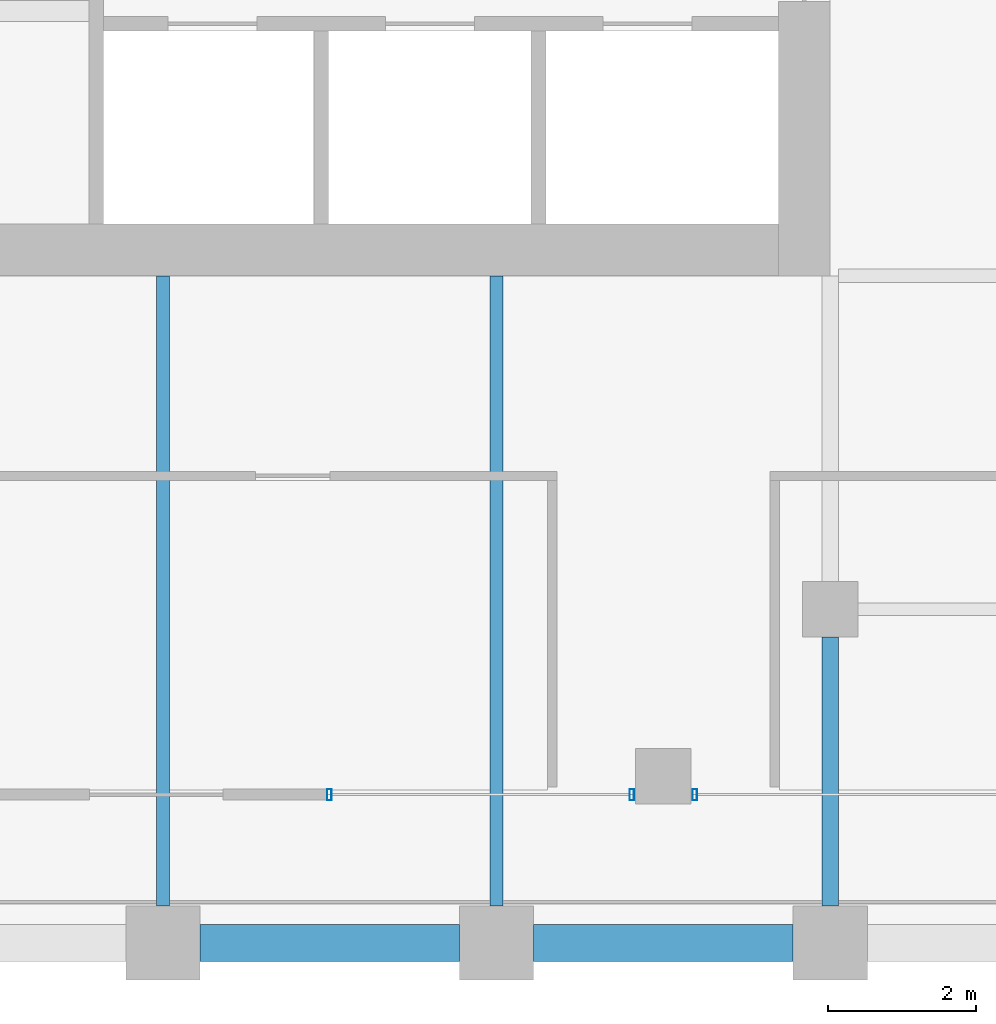
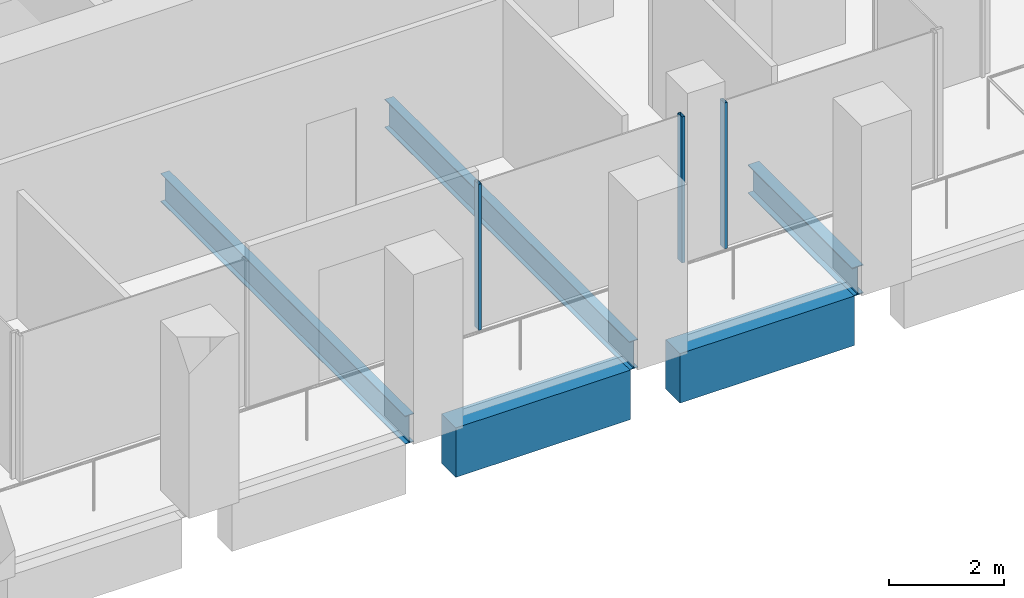
# One storey, part 31 of 46: 5 beams, 3 members, 2 elements without a shape of their own.
"""IFC4 building model written with IfcOpenShell, lengths in metres."""

from ifc_helpers import new_model, si_unit, direction, frame, origin, origin_2d, place, context, subcontext, project, spatial, rectangle, hollow_rectangle, i_section, extrude, material, material_profile, profile_set, type_object, element, aggregate, save


model = new_model("IFC4")

# Units and contexts
model_context = context("Model", 3, precision=1e-05, world=origin(), true_north=direction((0.0, 1.0)))
body_context = subcontext(model_context, "Body", "Model", "MODEL_VIEW")
ifc_project = project(units=[si_unit("LENGTHUNIT", "METRE"), si_unit("AREAUNIT", "SQUARE_METRE"), si_unit("VOLUMEUNIT", "CUBIC_METRE"), si_unit("PLANEANGLEUNIT", "RADIAN"), si_unit("MASSUNIT", "GRAM", prefix="KILO")], contexts=[model_context])

# Site, building, storey
site_placement = place(None, origin())
site = spatial("IfcSite", under=ifc_project, at=site_placement, CompositionType="ELEMENT")
building_placement = place(site_placement, origin())
building = spatial("IfcBuilding", under=site, at=building_placement, Name="Altepetl Exchange Towers", CompositionType="ELEMENT")
storey_placement = place(building_placement, frame((0.0, 0.0, 135.199951171875)))
storey = spatial("IfcBuildingStorey", under=building, at=storey_placement, Name="L33", CompositionType="ELEMENT", Elevation=135.199951171875)

# Beams
ifc_material_1 = material(Name="Steel S355", Category="steel")
ifc_material_profile_1 = material_profile(ifc_material_1, i_section(OverallWidth=0.177978515625, OverallDepth=0.59912109375, WebThickness=0.010009765625, FlangeThickness=0.0126953125, at=origin_2d()), Name="W24X55")
ifc_profile_set_1 = profile_set([ifc_material_profile_1], Name="Steel S355")
beam_type_1 = type_object("IfcBeamType", Name="Floor beam W24X55", PredefinedType="BEAM", material=ifc_profile_set_1)
for number, where, z_axis, x_axis, name in (
    (1, (108.0, 27.5, -0.449462890625), (0.0, 1.0, 0.0), (-1.0, 0.0, 0.0), "bm:B:L33:006"),
    (2, (112.5, 27.5, -0.449462890625), (0.0, 1.0, 0.0), (-1.0, 0.0, 0.0), "bm:B:L33:007"),
):
    element("IfcBeam", number, at=place(storey_placement, frame(where, z_axis=z_axis, x_axis=x_axis)), inside=storey, type_object=beam_type_1, Name=name, PredefinedType="BEAM", context=body_context, shape_type="SweptSolid", body=[
        extrude(i_section(OverallWidth=0.177978515625, OverallDepth=0.59912109375, WebThickness=0.010009765625, FlangeThickness=0.0126953125, at=origin_2d()), origin(), (0.0, 0.0, 1.0), 8.5),
    ])
ifc_material_profile_2 = material_profile(ifc_material_1, i_section(OverallWidth=0.22802734375, OverallDepth=0.60791015625, WebThickness=0.01123046875, FlangeThickness=0.017333984375, at=origin_2d()), Name="W24X76")
ifc_profile_set_2 = profile_set([ifc_material_profile_2], Name="Steel S355")
beam_type_2 = type_object("IfcBeamType", Name="Girder W24X76", PredefinedType="BEAM", material=ifc_profile_set_2)
beam_placement = place(storey_placement, frame((117.0, 31.125, -0.453857421875), z_axis=(0.0, -1.0, 0.0), x_axis=(1.0, 0.0, 0.0)))
element("IfcBeam", 3, at=beam_placement, inside=storey, type_object=beam_type_2, Name="gd:B:L33:001", PredefinedType="BEAM", context=body_context, shape_type="SweptSolid", body=[
    extrude(i_section(OverallWidth=0.22802734375, OverallDepth=0.60791015625, WebThickness=0.01123046875, FlangeThickness=0.017333984375, at=origin_2d()), origin(), (0.0, 0.0, 1.0), 3.625),
])

# Curtain wall, members
ifc_material_2 = material(Name="Aluminium 6063-T6 glazing", Category="aluminium")
curtain_wall_type = type_object("IfcCurtainWallType", Name="Loggia glazing system", PredefinedType="NOTDEFINED", material=ifc_material_2)
curtain_wall_1_placement = place(storey_placement, origin())
curtain_wall_1 = element("IfcCurtainWall", 4, at=curtain_wall_1_placement, inside=storey, type_object=curtain_wall_type, Name="CW1 run", PredefinedType="NOTDEFINED")
ifc_material_3 = material(Name="Aluminium 6063-T6", Category="aluminium")
ifc_material_profile_3 = material_profile(ifc_material_3, hollow_rectangle(XDim=0.06005859375, YDim=0.14990234375, WallThickness=0.0029296875, at=origin_2d()), Name="Mullion 60x150 aluminium")
ifc_profile_set_3 = profile_set([ifc_material_profile_3], Name="Aluminium 6063-T6")
member_type = type_object("IfcMemberType", Name="Mullion 60x150 aluminium", PredefinedType="MULLION", material=ifc_profile_set_3)
member_1_placement = place(storey_placement, frame((110.242431640625, 29.0, 0.0)))
member_1 = element("IfcMember", 5, at=member_1_placement, type_object=member_type, Name="MU1 mullion", PredefinedType="MULLION", context=body_context, shape_type="SweptSolid", body=[
    extrude(hollow_rectangle(XDim=0.06005859375, YDim=0.14990234375, WallThickness=0.0029296875, at=origin_2d()), origin(), (0.0, 0.0, 1.0), 3.10009765625),
])
member_2_placement = place(storey_placement, frame((114.324951171875, 29.0, 0.0)))
member_2 = element("IfcMember", 6, at=member_2_placement, type_object=member_type, Name="MU1 mullion", PredefinedType="MULLION", context=body_context, shape_type="SweptSolid", body=[
    extrude(hollow_rectangle(XDim=0.06005859375, YDim=0.14990234375, WallThickness=0.0029296875, at=origin_2d()), origin(), (0.0, 0.0, 1.0), 3.10009765625),
])
aggregate(curtain_wall_1, [member_1, member_2])

# Curtain wall, member
curtain_wall_2_placement = place(storey_placement, origin())
curtain_wall_2 = element("IfcCurtainWall", 7, at=curtain_wall_2_placement, inside=storey, type_object=curtain_wall_type, Name="CW1 run", PredefinedType="NOTDEFINED")
member_3_placement = place(storey_placement, frame((115.175048828125, 29.0, 0.0)))
member_3 = element("IfcMember", 8, at=member_3_placement, type_object=member_type, Name="MU1 mullion", PredefinedType="MULLION", context=body_context, shape_type="SweptSolid", body=[
    extrude(hollow_rectangle(XDim=0.06005859375, YDim=0.14990234375, WallThickness=0.0029296875, at=origin_2d()), origin(), (0.0, 0.0, 1.0), 3.10009765625),
])
aggregate(curtain_wall_2, [member_3])

# Beams
ifc_material_4 = material(Name="Concrete C50/60 precast with tezontle facing", Category="concrete")
ifc_material_profile_4 = material_profile(ifc_material_4, rectangle(XDim=0.5, YDim=1.050048828125, at=origin_2d()), Name="500 x 1050")
ifc_profile_set_4 = profile_set([ifc_material_profile_4], Name="Concrete C50/60 precast with tezontle facing")
beam_type_3 = type_object("IfcBeamType", Name="Spandrel beam 500x1050 tezontle", PredefinedType="SPANDREL", material=ifc_profile_set_4)
for number, where, z_axis, x_axis, name in (
    (9, (108.5, 27.0, -0.675048828125), (1.0, 0.0, 0.0), (0.0, 1.0, 0.0), "sp:B:L33:002"),
    (10, (113.0, 27.0, -0.675048828125), (1.0, 0.0, 0.0), (0.0, 1.0, 0.0), "sp:B:L33:003"),
):
    element("IfcBeam", number, at=place(storey_placement, frame(where, z_axis=z_axis, x_axis=x_axis)), inside=storey, type_object=beam_type_3, Name=name, PredefinedType="SPANDREL", context=body_context, shape_type="SweptSolid", body=[
        extrude(rectangle(XDim=0.5, YDim=1.050048828125, at=origin_2d()), origin(), (0.0, 0.0, 1.0), 3.5),
    ])

save(model, "model.ifc")
